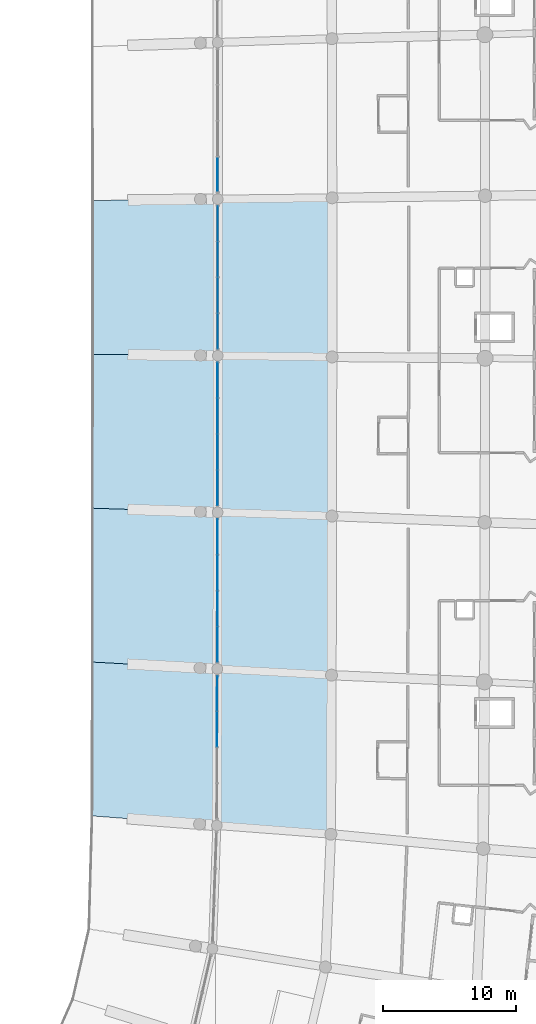
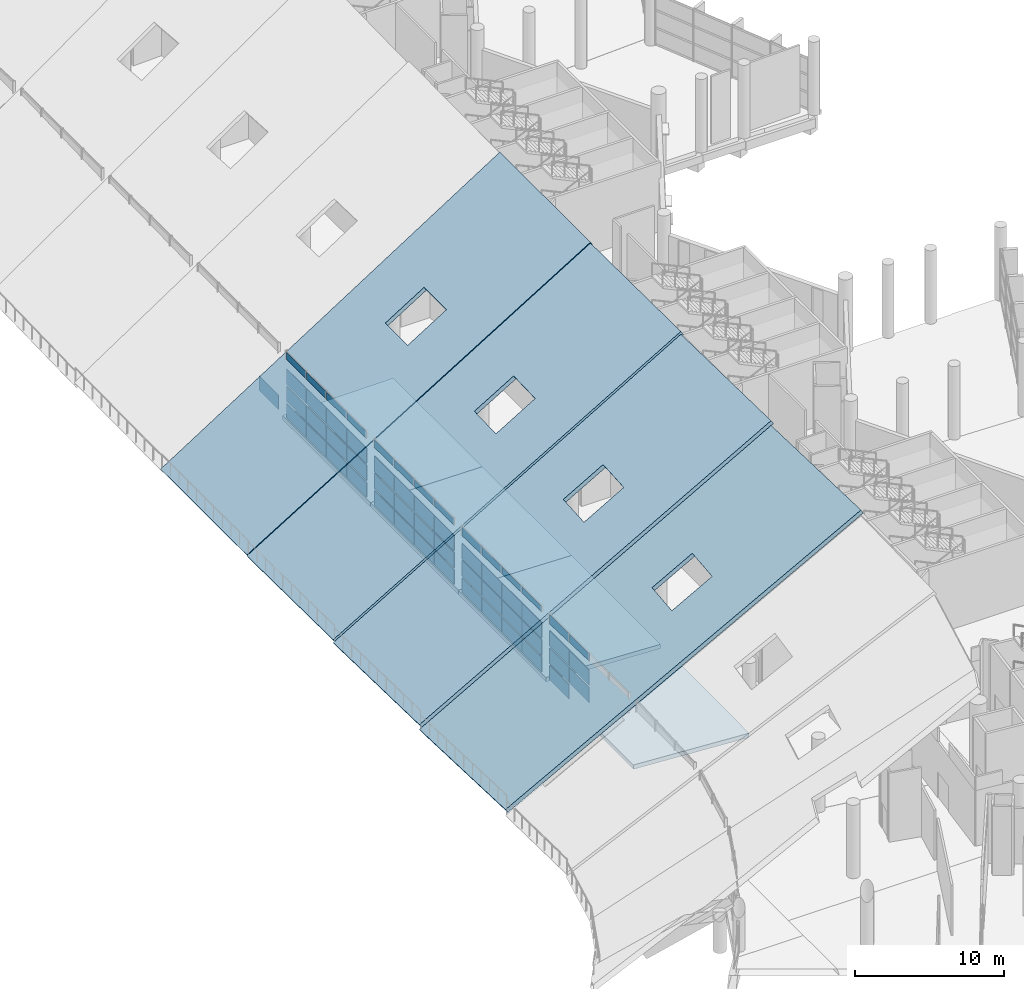
# One storey, part 113 of 249: 56 plates, 8 slabs, 5 elements without a shape of their own.
"""IFC4 building model written with IfcOpenShell, lengths in metres."""

from ifc_helpers import new_model, si_unit, direction, frame, origin, origin_2d, place, context, subcontext, project, spatial, polyline, rectangle, outline, extrude, material, layer, layer_set, type_object, element, aggregate, save


model = new_model("IFC4")

# Units and contexts
model_context = context("Model", 3, precision=1e-05, world=origin(), true_north=direction((0.0, 1.0)))
body_context = subcontext(model_context, "Body", "Model", "MODEL_VIEW")
ifc_project = project(units=[si_unit("LENGTHUNIT", "METRE"), si_unit("AREAUNIT", "SQUARE_METRE"), si_unit("VOLUMEUNIT", "CUBIC_METRE"), si_unit("PLANEANGLEUNIT", "RADIAN"), si_unit("MASSUNIT", "GRAM", prefix="KILO")], contexts=[model_context])

# Site, building, storey
site_placement = place(None, origin())
site = spatial("IfcSite", under=ifc_project, at=site_placement, CompositionType="ELEMENT")
building_placement = place(site_placement, origin())
building = spatial("IfcBuilding", under=site, at=building_placement, Name="Meseta Stadium", CompositionType="ELEMENT")
storey_placement = place(building_placement, frame((0.0, 0.0, 12.0)))
storey = spatial("IfcBuildingStorey", under=building, at=storey_placement, Name="L02", CompositionType="ELEMENT", Elevation=12.0)

# Curtain wall, plates
ifc_material_1 = material(Name="Aluminium", Category="aluminium")
ifc_layer_1 = layer(ifc_material_1, 0.199951171875)
ifc_layer_set_1 = layer_set([ifc_layer_1], Name="Suite glazing curtain wall")
curtain_wall_type = type_object("IfcCurtainWallType", Name="Suite glazing curtain wall", PredefinedType="NOTDEFINED", material=ifc_layer_set_1)
curtain_wall_1_placement = place(storey_placement, origin())
curtain_wall_1 = element("IfcCurtainWall", 1, at=curtain_wall_1_placement, inside=storey, type_object=curtain_wall_type, Name="Suite glazing bay 01", PredefinedType="NOTDEFINED")
ifc_material_2 = material(Name="Glass", Category="glass")
ifc_layer_2 = layer(ifc_material_2, 0.035888671875)
ifc_layer_set_2 = layer_set([ifc_layer_2], Name="CW glass panel 36")
plate_type = type_object("IfcPlateType", Name="CW glass panel 36", PredefinedType="CURTAIN_PANEL", material=ifc_layer_set_2)
plate_1_placement = place(storey_placement, frame((64.85107421875, -33.967041015625, 1.4873046875), z_axis=(0.0, 0.0, 1.0), x_axis=(0.002910007458, 0.999995765919, 0.0)))
plate_1 = element("IfcPlate", 2, at=plate_1_placement, type_object=plate_type, Name="CWS panel 3.2", PredefinedType="CURTAIN_PANEL", context=body_context, shape_type="SweptSolid", body=[
    extrude(rectangle(XDim=2.642822265625, YDim=0.035888671875, at=origin_2d()), origin(), (0.0, 0.0, 1.0), 1.262451171875),
])
plate_2_placement = place(storey_placement, frame((64.85107421875, -33.967041015625, 2.89990234375), z_axis=(0.0, 0.0, 1.0), x_axis=(0.002910007458, 0.999995765919, 0.0)))
plate_2 = element("IfcPlate", 3, at=plate_2_placement, type_object=plate_type, Name="CWS panel 3.3", PredefinedType="CURTAIN_PANEL", context=body_context, shape_type="SweptSolid", body=[
    extrude(rectangle(XDim=2.642822265625, YDim=0.035888671875, at=origin_2d()), origin(), (0.0, 0.0, 1.0), 1.262451171875),
])
plate_3_placement = place(storey_placement, frame((64.85107421875, -33.967041015625, 4.3125), z_axis=(0.0, 0.0, 1.0), x_axis=(0.002910007458, 0.999995765919, 0.0)))
plate_3 = element("IfcPlate", 4, at=plate_3_placement, type_object=plate_type, Name="CWS panel 3.4", PredefinedType="CURTAIN_PANEL", context=body_context, shape_type="SweptSolid", body=[
    extrude(rectangle(XDim=2.642822265625, YDim=0.035888671875, at=origin_2d()), origin(), (0.0, 0.0, 1.0), 1.1875),
])
plate_4_placement = place(storey_placement, frame((64.85888671875, -31.279296875, 0.14990234375), z_axis=(0.0, 0.0, 1.0), x_axis=(0.002910007458, 0.999995765919, 0.0)))
plate_4 = element("IfcPlate", 5, at=plate_4_placement, type_object=plate_type, Name="CWS panel 4.1", PredefinedType="CURTAIN_PANEL", context=body_context, shape_type="SweptSolid", body=[
    extrude(rectangle(XDim=2.61279296875, YDim=0.035888671875, at=origin_2d()), origin(), (0.0, 0.0, 1.0), 1.1875),
])
plate_5_placement = place(storey_placement, frame((64.85888671875, -31.279296875, 1.4873046875), z_axis=(0.0, 0.0, 1.0), x_axis=(0.002910007458, 0.999995765919, 0.0)))
plate_5 = element("IfcPlate", 6, at=plate_5_placement, type_object=plate_type, Name="CWS panel 4.2", PredefinedType="CURTAIN_PANEL", context=body_context, shape_type="SweptSolid", body=[
    extrude(rectangle(XDim=2.61279296875, YDim=0.035888671875, at=origin_2d()), origin(), (0.0, 0.0, 1.0), 1.262451171875),
])
plate_6_placement = place(storey_placement, frame((64.85888671875, -31.279296875, 2.89990234375), z_axis=(0.0, 0.0, 1.0), x_axis=(0.002910007458, 0.999995765919, 0.0)))
plate_6 = element("IfcPlate", 7, at=plate_6_placement, type_object=plate_type, Name="CWS panel 4.3", PredefinedType="CURTAIN_PANEL", context=body_context, shape_type="SweptSolid", body=[
    extrude(rectangle(XDim=2.61279296875, YDim=0.035888671875, at=origin_2d()), origin(), (0.0, 0.0, 1.0), 1.262451171875),
])
plate_7_placement = place(storey_placement, frame((64.85888671875, -31.279296875, 4.3125), z_axis=(0.0, 0.0, 1.0), x_axis=(0.002910007458, 0.999995765919, 0.0)))
plate_7 = element("IfcPlate", 8, at=plate_7_placement, type_object=plate_type, Name="CWS panel 4.4", PredefinedType="CURTAIN_PANEL", context=body_context, shape_type="SweptSolid", body=[
    extrude(rectangle(XDim=2.61279296875, YDim=0.035888671875, at=origin_2d()), origin(), (0.0, 0.0, 1.0), 1.1875),
])
aggregate(curtain_wall_1, [plate_1, plate_2, plate_3, plate_4, plate_5, plate_6, plate_7])

curtain_wall_2_placement = place(storey_placement, origin())
curtain_wall_2 = element("IfcCurtainWall", 9, at=curtain_wall_2_placement, inside=storey, type_object=curtain_wall_type, Name="Suite glazing bay 02", PredefinedType="NOTDEFINED")
plate_8_placement = place(storey_placement, frame((64.86767578125, -27.5869140625, 0.14990234375), z_axis=(0.0, 0.0, 1.0), x_axis=(0.001946685349, 0.999998105206, 0.0)))
plate_8 = element("IfcPlate", 10, at=plate_8_placement, type_object=plate_type, Name="CWS panel 1.1", PredefinedType="CURTAIN_PANEL", context=body_context, shape_type="SweptSolid", body=[
    extrude(rectangle(XDim=2.613525390625, YDim=0.035888671875, at=origin_2d()), origin(), (0.0, 0.0, 1.0), 1.1875),
])
plate_9_placement = place(storey_placement, frame((64.86767578125, -27.5869140625, 1.4873046875), z_axis=(0.0, 0.0, 1.0), x_axis=(0.001946685349, 0.999998105206, 0.0)))
plate_9 = element("IfcPlate", 11, at=plate_9_placement, type_object=plate_type, Name="CWS panel 1.2", PredefinedType="CURTAIN_PANEL", context=body_context, shape_type="SweptSolid", body=[
    extrude(rectangle(XDim=2.613525390625, YDim=0.035888671875, at=origin_2d()), origin(), (0.0, 0.0, 1.0), 1.262451171875),
])
plate_10_placement = place(storey_placement, frame((64.86767578125, -27.5869140625, 2.89990234375), z_axis=(0.0, 0.0, 1.0), x_axis=(0.001946685349, 0.999998105206, 0.0)))
plate_10 = element("IfcPlate", 12, at=plate_10_placement, type_object=plate_type, Name="CWS panel 1.3", PredefinedType="CURTAIN_PANEL", context=body_context, shape_type="SweptSolid", body=[
    extrude(rectangle(XDim=2.613525390625, YDim=0.035888671875, at=origin_2d()), origin(), (0.0, 0.0, 1.0), 1.262451171875),
])
plate_11_placement = place(storey_placement, frame((64.86767578125, -27.5869140625, 4.3125), z_axis=(0.0, 0.0, 1.0), x_axis=(0.001946685349, 0.999998105206, 0.0)))
plate_11 = element("IfcPlate", 13, at=plate_11_placement, type_object=plate_type, Name="CWS panel 1.4", PredefinedType="CURTAIN_PANEL", context=body_context, shape_type="SweptSolid", body=[
    extrude(rectangle(XDim=2.613525390625, YDim=0.035888671875, at=origin_2d()), origin(), (0.0, 0.0, 1.0), 1.1875),
])
plate_12_placement = place(storey_placement, frame((64.873046875, -24.8984375, 0.14990234375), z_axis=(0.0, 0.0, 1.0), x_axis=(0.001946685349, 0.999998105206, 0.0)))
plate_12 = element("IfcPlate", 14, at=plate_12_placement, type_object=plate_type, Name="CWS panel 2.1", PredefinedType="CURTAIN_PANEL", context=body_context, shape_type="SweptSolid", body=[
    extrude(rectangle(XDim=2.6435546875, YDim=0.035888671875, at=origin_2d()), origin(), (0.0, 0.0, 1.0), 1.1875),
])
plate_13_placement = place(storey_placement, frame((64.873046875, -24.8984375, 1.4873046875), z_axis=(0.0, 0.0, 1.0), x_axis=(0.001946685349, 0.999998105206, 0.0)))
plate_13 = element("IfcPlate", 15, at=plate_13_placement, type_object=plate_type, Name="CWS panel 2.2", PredefinedType="CURTAIN_PANEL", context=body_context, shape_type="SweptSolid", body=[
    extrude(rectangle(XDim=2.6435546875, YDim=0.035888671875, at=origin_2d()), origin(), (0.0, 0.0, 1.0), 1.262451171875),
])
plate_14_placement = place(storey_placement, frame((64.873046875, -24.8984375, 2.89990234375), z_axis=(0.0, 0.0, 1.0), x_axis=(0.001946685349, 0.999998105206, 0.0)))
plate_14 = element("IfcPlate", 16, at=plate_14_placement, type_object=plate_type, Name="CWS panel 2.3", PredefinedType="CURTAIN_PANEL", context=body_context, shape_type="SweptSolid", body=[
    extrude(rectangle(XDim=2.6435546875, YDim=0.035888671875, at=origin_2d()), origin(), (0.0, 0.0, 1.0), 1.262451171875),
])
plate_15_placement = place(storey_placement, frame((64.873046875, -24.8984375, 4.3125), z_axis=(0.0, 0.0, 1.0), x_axis=(0.001946685349, 0.999998105206, 0.0)))
plate_15 = element("IfcPlate", 17, at=plate_15_placement, type_object=plate_type, Name="CWS panel 2.4", PredefinedType="CURTAIN_PANEL", context=body_context, shape_type="SweptSolid", body=[
    extrude(rectangle(XDim=2.6435546875, YDim=0.035888671875, at=origin_2d()), origin(), (0.0, 0.0, 1.0), 1.1875),
])
plate_16_placement = place(storey_placement, frame((64.878173828125, -22.195068359375, 0.14990234375), z_axis=(0.0, 0.0, 1.0), x_axis=(0.001946685349, 0.999998105206, 0.0)))
plate_16 = element("IfcPlate", 18, at=plate_16_placement, type_object=plate_type, Name="CWS panel 3.1", PredefinedType="CURTAIN_PANEL", context=body_context, shape_type="SweptSolid", body=[
    extrude(rectangle(XDim=2.6435546875, YDim=0.035888671875, at=origin_2d()), origin(), (0.0, 0.0, 1.0), 1.1875),
])
plate_17_placement = place(storey_placement, frame((64.878173828125, -22.195068359375, 1.4873046875), z_axis=(0.0, 0.0, 1.0), x_axis=(0.001946685349, 0.999998105206, 0.0)))
plate_17 = element("IfcPlate", 19, at=plate_17_placement, type_object=plate_type, Name="CWS panel 3.2", PredefinedType="CURTAIN_PANEL", context=body_context, shape_type="SweptSolid", body=[
    extrude(rectangle(XDim=2.6435546875, YDim=0.035888671875, at=origin_2d()), origin(), (0.0, 0.0, 1.0), 1.262451171875),
])
plate_18_placement = place(storey_placement, frame((64.878173828125, -22.195068359375, 2.89990234375), z_axis=(0.0, 0.0, 1.0), x_axis=(0.001946685349, 0.999998105206, 0.0)))
plate_18 = element("IfcPlate", 20, at=plate_18_placement, type_object=plate_type, Name="CWS panel 3.3", PredefinedType="CURTAIN_PANEL", context=body_context, shape_type="SweptSolid", body=[
    extrude(rectangle(XDim=2.6435546875, YDim=0.035888671875, at=origin_2d()), origin(), (0.0, 0.0, 1.0), 1.262451171875),
])
plate_19_placement = place(storey_placement, frame((64.878173828125, -22.195068359375, 4.3125), z_axis=(0.0, 0.0, 1.0), x_axis=(0.001946685349, 0.999998105206, 0.0)))
plate_19 = element("IfcPlate", 21, at=plate_19_placement, type_object=plate_type, Name="CWS panel 3.4", PredefinedType="CURTAIN_PANEL", context=body_context, shape_type="SweptSolid", body=[
    extrude(rectangle(XDim=2.6435546875, YDim=0.035888671875, at=origin_2d()), origin(), (0.0, 0.0, 1.0), 1.1875),
])
plate_20_placement = place(storey_placement, frame((64.883544921875, -19.506591796875, 0.14990234375), z_axis=(0.0, 0.0, 1.0), x_axis=(0.001946685349, 0.999998105206, 0.0)))
plate_20 = element("IfcPlate", 22, at=plate_20_placement, type_object=plate_type, Name="CWS panel 4.1", PredefinedType="CURTAIN_PANEL", context=body_context, shape_type="SweptSolid", body=[
    extrude(rectangle(XDim=2.613525390625, YDim=0.035888671875, at=origin_2d()), origin(), (0.0, 0.0, 1.0), 1.1875),
])
plate_21_placement = place(storey_placement, frame((64.883544921875, -19.506591796875, 1.4873046875), z_axis=(0.0, 0.0, 1.0), x_axis=(0.001946685349, 0.999998105206, 0.0)))
plate_21 = element("IfcPlate", 23, at=plate_21_placement, type_object=plate_type, Name="CWS panel 4.2", PredefinedType="CURTAIN_PANEL", context=body_context, shape_type="SweptSolid", body=[
    extrude(rectangle(XDim=2.613525390625, YDim=0.035888671875, at=origin_2d()), origin(), (0.0, 0.0, 1.0), 1.262451171875),
])
plate_22_placement = place(storey_placement, frame((64.883544921875, -19.506591796875, 2.89990234375), z_axis=(0.0, 0.0, 1.0), x_axis=(0.001946685349, 0.999998105206, 0.0)))
plate_22 = element("IfcPlate", 24, at=plate_22_placement, type_object=plate_type, Name="CWS panel 4.3", PredefinedType="CURTAIN_PANEL", context=body_context, shape_type="SweptSolid", body=[
    extrude(rectangle(XDim=2.613525390625, YDim=0.035888671875, at=origin_2d()), origin(), (0.0, 0.0, 1.0), 1.262451171875),
])
plate_23_placement = place(storey_placement, frame((64.883544921875, -19.506591796875, 4.3125), z_axis=(0.0, 0.0, 1.0), x_axis=(0.001946685349, 0.999998105206, 0.0)))
plate_23 = element("IfcPlate", 25, at=plate_23_placement, type_object=plate_type, Name="CWS panel 4.4", PredefinedType="CURTAIN_PANEL", context=body_context, shape_type="SweptSolid", body=[
    extrude(rectangle(XDim=2.613525390625, YDim=0.035888671875, at=origin_2d()), origin(), (0.0, 0.0, 1.0), 1.1875),
])
aggregate(curtain_wall_2, [plate_8, plate_9, plate_10, plate_11, plate_12, plate_13, plate_14, plate_15, plate_16, plate_17, plate_18, plate_19, plate_20, plate_21, plate_22, plate_23])

curtain_wall_3_placement = place(storey_placement, origin())
curtain_wall_3 = element("IfcCurtainWall", 26, at=curtain_wall_3_placement, inside=storey, type_object=curtain_wall_type, Name="Suite glazing bay 03", PredefinedType="NOTDEFINED")
plate_24_placement = place(storey_placement, frame((64.888916015625, -15.814697265625, 0.14990234375), z_axis=(0.0, 0.0, 1.0), x_axis=(0.000975355927, 0.99999952434, 0.0)))
plate_24 = element("IfcPlate", 27, at=plate_24_placement, type_object=plate_type, Name="CWS panel 1.1", PredefinedType="CURTAIN_PANEL", context=body_context, shape_type="SweptSolid", body=[
    extrude(rectangle(XDim=2.61376953125, YDim=0.035888671875, at=origin_2d()), origin(), (0.0, 0.0, 1.0), 1.1875),
])
plate_25_placement = place(storey_placement, frame((64.888916015625, -15.814697265625, 1.4873046875), z_axis=(0.0, 0.0, 1.0), x_axis=(0.000975355927, 0.99999952434, 0.0)))
plate_25 = element("IfcPlate", 28, at=plate_25_placement, type_object=plate_type, Name="CWS panel 1.2", PredefinedType="CURTAIN_PANEL", context=body_context, shape_type="SweptSolid", body=[
    extrude(rectangle(XDim=2.61376953125, YDim=0.035888671875, at=origin_2d()), origin(), (0.0, 0.0, 1.0), 1.262451171875),
])
plate_26_placement = place(storey_placement, frame((64.888916015625, -15.814697265625, 2.89990234375), z_axis=(0.0, 0.0, 1.0), x_axis=(0.000975355927, 0.99999952434, 0.0)))
plate_26 = element("IfcPlate", 29, at=plate_26_placement, type_object=plate_type, Name="CWS panel 1.3", PredefinedType="CURTAIN_PANEL", context=body_context, shape_type="SweptSolid", body=[
    extrude(rectangle(XDim=2.61376953125, YDim=0.035888671875, at=origin_2d()), origin(), (0.0, 0.0, 1.0), 1.262451171875),
])
plate_27_placement = place(storey_placement, frame((64.888916015625, -15.814697265625, 4.3125), z_axis=(0.0, 0.0, 1.0), x_axis=(0.000975355927, 0.99999952434, 0.0)))
plate_27 = element("IfcPlate", 30, at=plate_27_placement, type_object=plate_type, Name="CWS panel 1.4", PredefinedType="CURTAIN_PANEL", context=body_context, shape_type="SweptSolid", body=[
    extrude(rectangle(XDim=2.61376953125, YDim=0.035888671875, at=origin_2d()), origin(), (0.0, 0.0, 1.0), 1.1875),
])
plate_28_placement = place(storey_placement, frame((64.8916015625, -13.125732421875, 0.14990234375), z_axis=(0.0, 0.0, 1.0), x_axis=(0.000975355927, 0.99999952434, 0.0)))
plate_28 = element("IfcPlate", 31, at=plate_28_placement, type_object=plate_type, Name="CWS panel 2.1", PredefinedType="CURTAIN_PANEL", context=body_context, shape_type="SweptSolid", body=[
    extrude(rectangle(XDim=2.643798828125, YDim=0.035888671875, at=origin_2d()), origin(), (0.0, 0.0, 1.0), 1.1875),
])
plate_29_placement = place(storey_placement, frame((64.8916015625, -13.125732421875, 1.4873046875), z_axis=(0.0, 0.0, 1.0), x_axis=(0.000975355927, 0.99999952434, 0.0)))
plate_29 = element("IfcPlate", 32, at=plate_29_placement, type_object=plate_type, Name="CWS panel 2.2", PredefinedType="CURTAIN_PANEL", context=body_context, shape_type="SweptSolid", body=[
    extrude(rectangle(XDim=2.643798828125, YDim=0.035888671875, at=origin_2d()), origin(), (0.0, 0.0, 1.0), 1.262451171875),
])
plate_30_placement = place(storey_placement, frame((64.8916015625, -13.125732421875, 2.89990234375), z_axis=(0.0, 0.0, 1.0), x_axis=(0.000975355927, 0.99999952434, 0.0)))
plate_30 = element("IfcPlate", 33, at=plate_30_placement, type_object=plate_type, Name="CWS panel 2.3", PredefinedType="CURTAIN_PANEL", context=body_context, shape_type="SweptSolid", body=[
    extrude(rectangle(XDim=2.643798828125, YDim=0.035888671875, at=origin_2d()), origin(), (0.0, 0.0, 1.0), 1.262451171875),
])
plate_31_placement = place(storey_placement, frame((64.8916015625, -13.125732421875, 4.3125), z_axis=(0.0, 0.0, 1.0), x_axis=(0.000975355927, 0.99999952434, 0.0)))
plate_31 = element("IfcPlate", 34, at=plate_31_placement, type_object=plate_type, Name="CWS panel 2.4", PredefinedType="CURTAIN_PANEL", context=body_context, shape_type="SweptSolid", body=[
    extrude(rectangle(XDim=2.643798828125, YDim=0.035888671875, at=origin_2d()), origin(), (0.0, 0.0, 1.0), 1.1875),
])
plate_32_placement = place(storey_placement, frame((64.89404296875, -10.421875, 0.14990234375), z_axis=(0.0, 0.0, 1.0), x_axis=(0.000975355927, 0.99999952434, 0.0)))
plate_32 = element("IfcPlate", 35, at=plate_32_placement, type_object=plate_type, Name="CWS panel 3.1", PredefinedType="CURTAIN_PANEL", context=body_context, shape_type="SweptSolid", body=[
    extrude(rectangle(XDim=2.643798828125, YDim=0.035888671875, at=origin_2d()), origin(), (0.0, 0.0, 1.0), 1.1875),
])
plate_33_placement = place(storey_placement, frame((64.89404296875, -10.421875, 1.4873046875), z_axis=(0.0, 0.0, 1.0), x_axis=(0.000975355927, 0.99999952434, 0.0)))
plate_33 = element("IfcPlate", 36, at=plate_33_placement, type_object=plate_type, Name="CWS panel 3.2", PredefinedType="CURTAIN_PANEL", context=body_context, shape_type="SweptSolid", body=[
    extrude(rectangle(XDim=2.643798828125, YDim=0.035888671875, at=origin_2d()), origin(), (0.0, 0.0, 1.0), 1.262451171875),
])
plate_34_placement = place(storey_placement, frame((64.89404296875, -10.421875, 2.89990234375), z_axis=(0.0, 0.0, 1.0), x_axis=(0.000975355927, 0.99999952434, 0.0)))
plate_34 = element("IfcPlate", 37, at=plate_34_placement, type_object=plate_type, Name="CWS panel 3.3", PredefinedType="CURTAIN_PANEL", context=body_context, shape_type="SweptSolid", body=[
    extrude(rectangle(XDim=2.643798828125, YDim=0.035888671875, at=origin_2d()), origin(), (0.0, 0.0, 1.0), 1.262451171875),
])
plate_35_placement = place(storey_placement, frame((64.89404296875, -10.421875, 4.3125), z_axis=(0.0, 0.0, 1.0), x_axis=(0.000975355927, 0.99999952434, 0.0)))
plate_35 = element("IfcPlate", 38, at=plate_35_placement, type_object=plate_type, Name="CWS panel 3.4", PredefinedType="CURTAIN_PANEL", context=body_context, shape_type="SweptSolid", body=[
    extrude(rectangle(XDim=2.643798828125, YDim=0.035888671875, at=origin_2d()), origin(), (0.0, 0.0, 1.0), 1.1875),
])
plate_36_placement = place(storey_placement, frame((64.896728515625, -7.73291015625, 0.14990234375), z_axis=(0.0, 0.0, 1.0), x_axis=(0.000975355927, 0.99999952434, 0.0)))
plate_36 = element("IfcPlate", 39, at=plate_36_placement, type_object=plate_type, Name="CWS panel 4.1", PredefinedType="CURTAIN_PANEL", context=body_context, shape_type="SweptSolid", body=[
    extrude(rectangle(XDim=2.61376953125, YDim=0.035888671875, at=origin_2d()), origin(), (0.0, 0.0, 1.0), 1.1875),
])
plate_37_placement = place(storey_placement, frame((64.896728515625, -7.73291015625, 1.4873046875), z_axis=(0.0, 0.0, 1.0), x_axis=(0.000975355927, 0.99999952434, 0.0)))
plate_37 = element("IfcPlate", 40, at=plate_37_placement, type_object=plate_type, Name="CWS panel 4.2", PredefinedType="CURTAIN_PANEL", context=body_context, shape_type="SweptSolid", body=[
    extrude(rectangle(XDim=2.61376953125, YDim=0.035888671875, at=origin_2d()), origin(), (0.0, 0.0, 1.0), 1.262451171875),
])
plate_38_placement = place(storey_placement, frame((64.896728515625, -7.73291015625, 2.89990234375), z_axis=(0.0, 0.0, 1.0), x_axis=(0.000975355927, 0.99999952434, 0.0)))
plate_38 = element("IfcPlate", 41, at=plate_38_placement, type_object=plate_type, Name="CWS panel 4.3", PredefinedType="CURTAIN_PANEL", context=body_context, shape_type="SweptSolid", body=[
    extrude(rectangle(XDim=2.61376953125, YDim=0.035888671875, at=origin_2d()), origin(), (0.0, 0.0, 1.0), 1.262451171875),
])
plate_39_placement = place(storey_placement, frame((64.896728515625, -7.73291015625, 4.3125), z_axis=(0.0, 0.0, 1.0), x_axis=(0.000975355927, 0.99999952434, 0.0)))
plate_39 = element("IfcPlate", 42, at=plate_39_placement, type_object=plate_type, Name="CWS panel 4.4", PredefinedType="CURTAIN_PANEL", context=body_context, shape_type="SweptSolid", body=[
    extrude(rectangle(XDim=2.61376953125, YDim=0.035888671875, at=origin_2d()), origin(), (0.0, 0.0, 1.0), 1.1875),
])
aggregate(curtain_wall_3, [plate_24, plate_25, plate_26, plate_27, plate_28, plate_29, plate_30, plate_31, plate_32, plate_33, plate_34, plate_35, plate_36, plate_37, plate_38, plate_39])

curtain_wall_4_placement = place(storey_placement, origin())
curtain_wall_4 = element("IfcCurtainWall", 43, at=curtain_wall_4_placement, inside=storey, type_object=curtain_wall_type, Name="Suite glazing bay 04", PredefinedType="NOTDEFINED")
plate_40_placement = place(storey_placement, frame((64.898681640625, -4.041015625, 0.14990234375), z_axis=(0.0, 0.0, 1.0), x_axis=(0.0, 1.0, 0.0)))
plate_40 = element("IfcPlate", 44, at=plate_40_placement, type_object=plate_type, Name="CWS panel 1.1", PredefinedType="CURTAIN_PANEL", context=body_context, shape_type="SweptSolid", body=[
    extrude(rectangle(XDim=2.614013671875, YDim=0.035888671875, at=origin_2d()), origin(), (0.0, 0.0, 1.0), 1.1875),
])
plate_41_placement = place(storey_placement, frame((64.898681640625, -4.041015625, 1.4873046875), z_axis=(0.0, 0.0, 1.0), x_axis=(0.0, 1.0, 0.0)))
plate_41 = element("IfcPlate", 45, at=plate_41_placement, type_object=plate_type, Name="CWS panel 1.2", PredefinedType="CURTAIN_PANEL", context=body_context, shape_type="SweptSolid", body=[
    extrude(rectangle(XDim=2.614013671875, YDim=0.035888671875, at=origin_2d()), origin(), (0.0, 0.0, 1.0), 1.262451171875),
])
plate_42_placement = place(storey_placement, frame((64.898681640625, -4.041015625, 2.89990234375), z_axis=(0.0, 0.0, 1.0), x_axis=(0.0, 1.0, 0.0)))
plate_42 = element("IfcPlate", 46, at=plate_42_placement, type_object=plate_type, Name="CWS panel 1.3", PredefinedType="CURTAIN_PANEL", context=body_context, shape_type="SweptSolid", body=[
    extrude(rectangle(XDim=2.614013671875, YDim=0.035888671875, at=origin_2d()), origin(), (0.0, 0.0, 1.0), 1.262451171875),
])
plate_43_placement = place(storey_placement, frame((64.898681640625, -4.041015625, 4.3125), z_axis=(0.0, 0.0, 1.0), x_axis=(0.0, 1.0, 0.0)))
plate_43 = element("IfcPlate", 47, at=plate_43_placement, type_object=plate_type, Name="CWS panel 1.4", PredefinedType="CURTAIN_PANEL", context=body_context, shape_type="SweptSolid", body=[
    extrude(rectangle(XDim=2.614013671875, YDim=0.035888671875, at=origin_2d()), origin(), (0.0, 0.0, 1.0), 1.1875),
])
plate_44_placement = place(storey_placement, frame((64.898681640625, -1.35205078125, 0.14990234375), z_axis=(0.0, 0.0, 1.0), x_axis=(0.0, 1.0, 0.0)))
plate_44 = element("IfcPlate", 48, at=plate_44_placement, type_object=plate_type, Name="CWS panel 2.1", PredefinedType="CURTAIN_PANEL", context=body_context, shape_type="SweptSolid", body=[
    extrude(rectangle(XDim=2.64404296875, YDim=0.035888671875, at=origin_2d()), origin(), (0.0, 0.0, 1.0), 1.1875),
])
plate_45_placement = place(storey_placement, frame((64.898681640625, -1.35205078125, 1.4873046875), z_axis=(0.0, 0.0, 1.0), x_axis=(0.0, 1.0, 0.0)))
plate_45 = element("IfcPlate", 49, at=plate_45_placement, type_object=plate_type, Name="CWS panel 2.2", PredefinedType="CURTAIN_PANEL", context=body_context, shape_type="SweptSolid", body=[
    extrude(rectangle(XDim=2.64404296875, YDim=0.035888671875, at=origin_2d()), origin(), (0.0, 0.0, 1.0), 1.262451171875),
])
plate_46_placement = place(storey_placement, frame((64.898681640625, -1.35205078125, 2.89990234375), z_axis=(0.0, 0.0, 1.0), x_axis=(0.0, 1.0, 0.0)))
plate_46 = element("IfcPlate", 50, at=plate_46_placement, type_object=plate_type, Name="CWS panel 2.3", PredefinedType="CURTAIN_PANEL", context=body_context, shape_type="SweptSolid", body=[
    extrude(rectangle(XDim=2.64404296875, YDim=0.035888671875, at=origin_2d()), origin(), (0.0, 0.0, 1.0), 1.262451171875),
])
plate_47_placement = place(storey_placement, frame((64.898681640625, -1.35205078125, 4.3125), z_axis=(0.0, 0.0, 1.0), x_axis=(0.0, 1.0, 0.0)))
plate_47 = element("IfcPlate", 51, at=plate_47_placement, type_object=plate_type, Name="CWS panel 2.4", PredefinedType="CURTAIN_PANEL", context=body_context, shape_type="SweptSolid", body=[
    extrude(rectangle(XDim=2.64404296875, YDim=0.035888671875, at=origin_2d()), origin(), (0.0, 0.0, 1.0), 1.1875),
])
plate_48_placement = place(storey_placement, frame((64.898681640625, 1.35205078125, 0.14990234375), z_axis=(0.0, 0.0, 1.0), x_axis=(0.0, 1.0, 0.0)))
plate_48 = element("IfcPlate", 52, at=plate_48_placement, type_object=plate_type, Name="CWS panel 3.1", PredefinedType="CURTAIN_PANEL", context=body_context, shape_type="SweptSolid", body=[
    extrude(rectangle(XDim=2.64404296875, YDim=0.035888671875, at=origin_2d()), origin(), (0.0, 0.0, 1.0), 1.1875),
])
plate_49_placement = place(storey_placement, frame((64.898681640625, 1.35205078125, 1.4873046875), z_axis=(0.0, 0.0, 1.0), x_axis=(0.0, 1.0, 0.0)))
plate_49 = element("IfcPlate", 53, at=plate_49_placement, type_object=plate_type, Name="CWS panel 3.2", PredefinedType="CURTAIN_PANEL", context=body_context, shape_type="SweptSolid", body=[
    extrude(rectangle(XDim=2.64404296875, YDim=0.035888671875, at=origin_2d()), origin(), (0.0, 0.0, 1.0), 1.262451171875),
])
plate_50_placement = place(storey_placement, frame((64.898681640625, 1.35205078125, 2.89990234375), z_axis=(0.0, 0.0, 1.0), x_axis=(0.0, 1.0, 0.0)))
plate_50 = element("IfcPlate", 54, at=plate_50_placement, type_object=plate_type, Name="CWS panel 3.3", PredefinedType="CURTAIN_PANEL", context=body_context, shape_type="SweptSolid", body=[
    extrude(rectangle(XDim=2.64404296875, YDim=0.035888671875, at=origin_2d()), origin(), (0.0, 0.0, 1.0), 1.262451171875),
])
plate_51_placement = place(storey_placement, frame((64.898681640625, 1.35205078125, 4.3125), z_axis=(0.0, 0.0, 1.0), x_axis=(0.0, 1.0, 0.0)))
plate_51 = element("IfcPlate", 55, at=plate_51_placement, type_object=plate_type, Name="CWS panel 3.4", PredefinedType="CURTAIN_PANEL", context=body_context, shape_type="SweptSolid", body=[
    extrude(rectangle(XDim=2.64404296875, YDim=0.035888671875, at=origin_2d()), origin(), (0.0, 0.0, 1.0), 1.1875),
])
plate_52_placement = place(storey_placement, frame((64.898681640625, 4.041015625, 0.14990234375), z_axis=(0.0, 0.0, 1.0), x_axis=(0.0, 1.0, 0.0)))
plate_52 = element("IfcPlate", 56, at=plate_52_placement, type_object=plate_type, Name="CWS panel 4.1", PredefinedType="CURTAIN_PANEL", context=body_context, shape_type="SweptSolid", body=[
    extrude(rectangle(XDim=2.614013671875, YDim=0.035888671875, at=origin_2d()), origin(), (0.0, 0.0, 1.0), 1.1875),
])
plate_53_placement = place(storey_placement, frame((64.898681640625, 4.041015625, 1.4873046875), z_axis=(0.0, 0.0, 1.0), x_axis=(0.0, 1.0, 0.0)))
plate_53 = element("IfcPlate", 57, at=plate_53_placement, type_object=plate_type, Name="CWS panel 4.2", PredefinedType="CURTAIN_PANEL", context=body_context, shape_type="SweptSolid", body=[
    extrude(rectangle(XDim=2.614013671875, YDim=0.035888671875, at=origin_2d()), origin(), (0.0, 0.0, 1.0), 1.262451171875),
])
plate_54_placement = place(storey_placement, frame((64.898681640625, 4.041015625, 2.89990234375), z_axis=(0.0, 0.0, 1.0), x_axis=(0.0, 1.0, 0.0)))
plate_54 = element("IfcPlate", 58, at=plate_54_placement, type_object=plate_type, Name="CWS panel 4.3", PredefinedType="CURTAIN_PANEL", context=body_context, shape_type="SweptSolid", body=[
    extrude(rectangle(XDim=2.614013671875, YDim=0.035888671875, at=origin_2d()), origin(), (0.0, 0.0, 1.0), 1.262451171875),
])
plate_55_placement = place(storey_placement, frame((64.898681640625, 4.041015625, 4.3125), z_axis=(0.0, 0.0, 1.0), x_axis=(0.0, 1.0, 0.0)))
plate_55 = element("IfcPlate", 59, at=plate_55_placement, type_object=plate_type, Name="CWS panel 4.4", PredefinedType="CURTAIN_PANEL", context=body_context, shape_type="SweptSolid", body=[
    extrude(rectangle(XDim=2.614013671875, YDim=0.035888671875, at=origin_2d()), origin(), (0.0, 0.0, 1.0), 1.1875),
])
aggregate(curtain_wall_4, [plate_40, plate_41, plate_42, plate_43, plate_44, plate_45, plate_46, plate_47, plate_48, plate_49, plate_50, plate_51, plate_52, plate_53, plate_54, plate_55])

# Curtain wall, plate
curtain_wall_5_placement = place(storey_placement, origin())
curtain_wall_5 = element("IfcCurtainWall", 60, at=curtain_wall_5_placement, inside=storey, type_object=curtain_wall_type, Name="Suite glazing bay 05", PredefinedType="NOTDEFINED")
plate_56_placement = place(storey_placement, frame((64.896728515625, 7.73291015625, 0.14990234375), z_axis=(0.0, 0.0, 1.0), x_axis=(-0.000975355927, 0.99999952434, 0.0)))
plate_56 = element("IfcPlate", 61, at=plate_56_placement, type_object=plate_type, Name="CWS panel 1.1", PredefinedType="CURTAIN_PANEL", context=body_context, shape_type="SweptSolid", body=[
    extrude(rectangle(XDim=2.61376953125, YDim=0.035888671875, at=origin_2d()), origin(), (0.0, 0.0, 1.0), 1.1875),
])
aggregate(curtain_wall_5, [plate_56])

# Slabs
ifc_material_3 = material(Name="Concrete C40/50", Category="concrete")
ifc_layer_3 = layer(ifc_material_3, 0.35009765625)
ifc_layer_set_3 = layer_set([ifc_layer_3], Name="Floor slab 350")
slab_type_1 = type_object("IfcSlabType", Name="Floor slab 350", PredefinedType="FLOOR", material=ifc_layer_set_3)
slab_1_placement = place(storey_placement, frame((0.0, 0.0, -0.35009765625)))
element("IfcSlab", 62, at=slab_1_placement, inside=storey, type_object=slab_type_1, Name="Floor slab L02 sector 00 panel 02", PredefinedType="FLOOR", context=body_context, shape_type="SweptSolid", body=[
    extrude(outline(polyline([(64.85400390625, -33.357177734375), (64.829833984375, -41.2041015625), (73.40478515625, -41.8623046875), (73.451416015625, -29.904052734375), (64.8642578125, -29.433349609375), (64.85400390625, -33.357177734375)])), origin(), (0.0, 0.0, 1.0), 0.35009765625),
])
slab_2_placement = place(storey_placement, frame((0.0, 0.0, -0.35009765625)))
element("IfcSlab", 63, at=slab_2_placement, inside=storey, type_object=slab_type_1, Name="Floor slab L02 sector 00 panel 03", PredefinedType="FLOOR", context=body_context, shape_type="SweptSolid", body=[
    extrude(outline(polyline([(64.880615234375, -21.585205078125), (64.8642578125, -29.433349609375), (73.451416015625, -29.904052734375), (73.482421875, -17.943603515625), (64.88720703125, -17.660888671875), (64.880615234375, -21.585205078125)])), origin(), (0.0, 0.0, 1.0), 0.35009765625),
])
slab_3_placement = place(storey_placement, frame((0.0, 0.0, -0.35009765625)))
element("IfcSlab", 64, at=slab_3_placement, inside=storey, type_object=slab_type_1, Name="Floor slab L02 sector 00 panel 05", PredefinedType="FLOOR", context=body_context, shape_type="SweptSolid", body=[
    extrude(outline(polyline([(64.894287109375, -11.77392578125), (64.88720703125, -17.660888671875), (73.482421875, -17.943603515625), (73.498046875, -5.981201171875), (64.898681640625, -5.886962890625), (64.894287109375, -11.77392578125)])), origin(), (0.0, 0.0, 1.0), 0.35009765625),
])
slab_4_placement = place(storey_placement, frame((0.0, 0.0, -0.35009765625)))
element("IfcSlab", 65, at=slab_4_placement, inside=storey, type_object=slab_type_1, Name="Floor slab L02 sector 00 panel 07", PredefinedType="FLOOR", context=body_context, shape_type="SweptSolid", body=[
    extrude(outline(polyline([(64.89990234375, 0.0), (64.898681640625, -5.886962890625), (73.498046875, -5.981201171875), (73.498046875, 5.981201171875), (64.898681640625, 5.886962890625), (64.89990234375, 0.0)])), origin(), (0.0, 0.0, 1.0), 0.35009765625),
])
ifc_material_4 = material(Name="Concrete C40/50", Category="concrete")
ifc_layer_4 = layer(ifc_material_4, 0.35009765625)
ifc_layer_set_4 = layer_set([ifc_layer_4], Name="Seating tier 350")
slab_type_2 = type_object("IfcSlabType", Name="Seating tier 350", PredefinedType="USERDEFINED", material=ifc_layer_set_4)
slab_5_placement = place(storey_placement, frame((55.35791015625, -40.47705078125, -0.769287109375), z_axis=(-0.528858005421, 0.034775888194, 0.847997551708), x_axis=(0.8455251215, -0.064894407001, 0.529977343716)))
element("IfcSlab", 66, at=slab_5_placement, inside=storey, type_object=slab_type_2, Name="Stand upper tier bay 02", ObjectType="SEATING TIER", PredefinedType="USERDEFINED", context=body_context, shape_type="SweptSolid", body=[
    extrude(outline(polyline([(0.0, 0.0), (31.131555696053333, -1.942890293094024e-16), (30.14859879027044, 12.10798894054096), (-0.9776261369689059, 11.531574825588551), (0.0, 0.0)]), holes=[polyline([(17.09423828125, 4.428466796875), (20.631591796875, 4.46142578125), (20.60400390625, 7.461181640625), (17.066162109375, 7.42822265625), (17.09423828125, 4.428466796875)])]), origin(), (0.0, 0.0, -1.0), 0.35009765625),
])
slab_6_placement = place(storey_placement, frame((55.37841796875, -28.913330078125, -0.845947265625), z_axis=(-0.529490725502, 0.023219606516, 0.847997890022), x_axis=(0.846740784093, -0.04641812941, 0.529976793657)))
element("IfcSlab", 67, at=slab_6_placement, inside=storey, type_object=slab_type_2, Name="Stand upper tier bay 03", ObjectType="SEATING TIER", PredefinedType="USERDEFINED", context=body_context, shape_type="SweptSolid", body=[
    extrude(outline(polyline([(0.0, 0.0), (31.13156166099889, -1.3877787807814457e-16), (30.437735626768536, 12.126228023018536), (-0.6885351610909363, 11.548545577756357), (0.0, 0.0)]), holes=[polyline([(17.23876953125, 4.437255859375), (20.776123046875, 4.47021484375), (20.74853515625, 7.469970703125), (17.210693359375, 7.43701171875), (17.23876953125, 4.437255859375)])]), origin(), (0.0, 0.0, -1.0), 0.35009765625),
])
slab_7_placement = place(storey_placement, frame((55.39208984375, -17.348388671875, -0.9228515625), z_axis=(-0.529871243907, 0.011637411984, 0.847998252075), x_axis=(0.847554064803, -0.027879036674, 0.529976288667)))
element("IfcSlab", 68, at=slab_7_placement, inside=storey, type_object=slab_type_2, Name="Stand upper tier bay 04", ObjectType="SEATING TIER", PredefinedType="USERDEFINED", context=body_context, shape_type="SweptSolid", body=[
    extrude(outline(polyline([(0.0, 0.0), (31.131631023240146, 5.551115123125783e-17), (30.728053831490584, 12.138331996977339), (-0.39820597457508733, 11.55960438386405), (0.0, 0.0)]), holes=[polyline([(17.3837890625, 4.443115234375), (20.92138671875, 4.475830078125), (20.893798828125, 7.475830078125), (17.356201171875, 7.443115234375), (17.3837890625, 4.443115234375)])]), origin(), (0.0, 0.0, -1.0), 0.35009765625),
])
slab_8_placement = place(storey_placement, frame((55.399169921875, -5.782958984375, -1.0), z_axis=(-0.529998940003, 0.0, 0.847998304005), x_axis=(0.847961686632, -0.009293010124, 0.529976054145)))
element("IfcSlab", 69, at=slab_8_placement, inside=storey, type_object=slab_type_2, Name="Stand upper tier bay 05", ObjectType="SEATING TIER", PredefinedType="USERDEFINED", context=body_context, shape_type="SweptSolid", body=[
    extrude(outline(polyline([(0.0, 0.0), (31.131639455140977, 8.326672684688674e-17), (31.018780203286752, 12.144006837592668), (-0.10748219277384775, 11.565418541414342), (0.0, 0.0)]), holes=[polyline([(17.529052734375, 4.446044921875), (21.066650390625, 4.47900390625), (21.038818359375, 7.478759765625), (17.501220703125, 7.44580078125), (17.529052734375, 4.446044921875)])]), origin(), (0.0, 0.0, -1.0), 0.35009765625),
])

save(model, "model.ifc")
